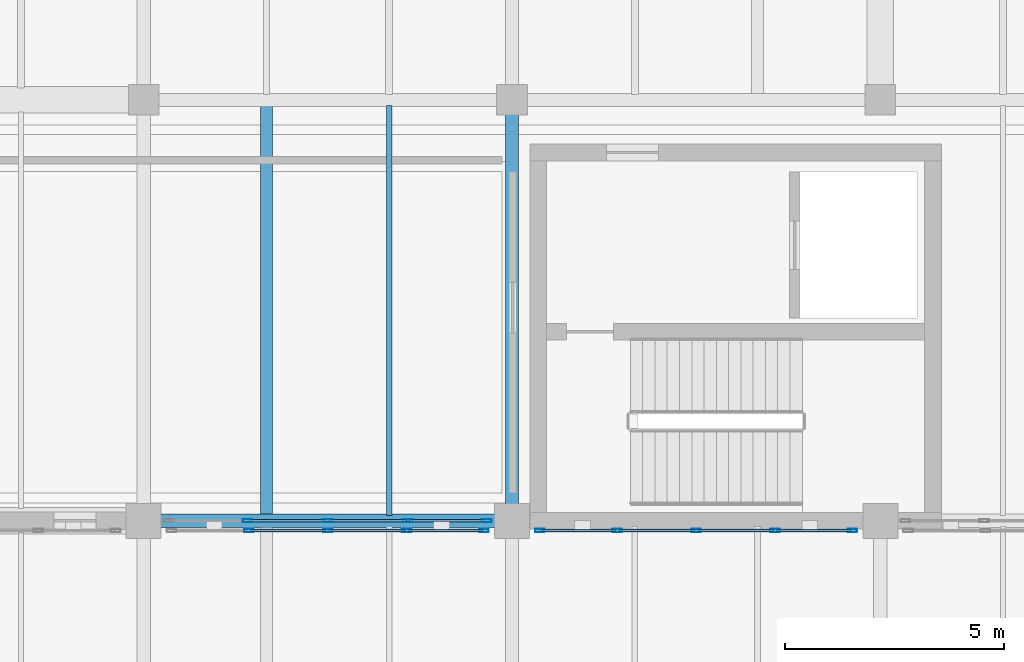
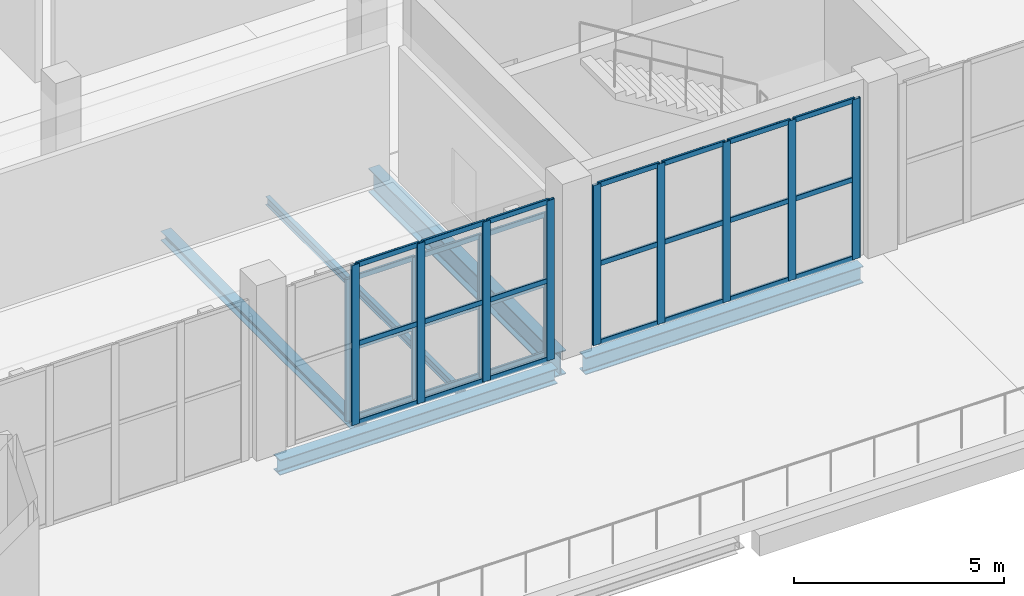
# One storey, part 12 of 77: 43 members, 5 beams, 3 elements without a shape of their own.
"""IFC4 building model written with IfcOpenShell, lengths in metres."""

from ifc_helpers import new_model, si_unit, direction, frame, origin, origin_2d, place, context, subcontext, project, spatial, hollow_rectangle, i_section, extrude, material, layer, layer_set, material_profile, profile_set, type_object, element, aggregate, save


model = new_model("IFC4")

# Units and contexts
model_context = context("Model", 3, precision=1e-05, world=origin(), true_north=direction((0.0, 1.0)))
body_context = subcontext(model_context, "Body", "Model", "MODEL_VIEW")
ifc_project = project(units=[si_unit("LENGTHUNIT", "METRE"), si_unit("AREAUNIT", "SQUARE_METRE"), si_unit("VOLUMEUNIT", "CUBIC_METRE"), si_unit("PLANEANGLEUNIT", "RADIAN"), si_unit("MASSUNIT", "GRAM", prefix="KILO")], contexts=[model_context])

# Site, building, storey
site_placement = place(None, origin())
site = spatial("IfcSite", under=ifc_project, at=site_placement, CompositionType="ELEMENT")
building_placement = place(site_placement, origin())
building = spatial("IfcBuilding", under=site, at=building_placement, Name="Zulmaris Art Gallery", CompositionType="ELEMENT")
storey_placement = place(building_placement, frame((0.0, 0.0, 15.60009765625)))
storey = spatial("IfcBuildingStorey", under=building, at=storey_placement, Name="L03", CompositionType="ELEMENT", Elevation=15.60009765625)

# Beams
ifc_material_1 = material(Name="Steel S355J2", Category="steel")
ifc_material_profile_1 = material_profile(ifc_material_1, i_section(OverallWidth=0.300048828125, OverallDepth=0.43994140625, WebThickness=0.011474609375, FlangeThickness=0.02099609375, FilletRadius=0.027099609375, at=origin_2d()), Name="HEA 450")
ifc_profile_set_1 = profile_set([ifc_material_profile_1], Name="Steel S355J2")
beam_type_1 = type_object("IfcBeamType", Name="BEAM-BM10", PredefinedType="BEAM", material=ifc_profile_set_1)
beam_1_placement = place(storey_placement, frame((57.985107421875, 21.60009765625, -0.6201171875), z_axis=(1.0, 0.0, 0.0), x_axis=(0.0, 1.0, 0.0)))
element("IfcBeam", 1, at=beam_1_placement, inside=storey, type_object=beam_type_1, Name="L03 X-girder (57.6..66.0, y=21.6)", PredefinedType="BEAM", context=body_context, shape_type="SweptSolid", body=[
    extrude(i_section(OverallWidth=0.300048828125, OverallDepth=0.43994140625, WebThickness=0.011474609375, FlangeThickness=0.02099609375, FilletRadius=0.027099609375, at=origin_2d()), origin(), (0.0, 0.0, 1.0), 7.6298828125),
])
ifc_material_profile_2 = material_profile(ifc_material_1, i_section(OverallWidth=0.300048828125, OverallDepth=0.489990234375, WebThickness=0.011962890625, FlangeThickness=0.02294921875, FilletRadius=0.027099609375, at=origin_2d()), Name="HEA 500")
ifc_profile_set_2 = profile_set([ifc_material_profile_2], Name="Steel S355J2")
beam_type_2 = type_object("IfcBeamType", Name="BEAM-BM11", PredefinedType="BEAM", material=ifc_profile_set_2)
beam_2_placement = place(storey_placement, frame((66.385009765625, 21.60009765625, -0.614990234375), z_axis=(1.0, 0.0, 0.0), x_axis=(0.0, 1.0, 0.0)))
element("IfcBeam", 2, at=beam_2_placement, inside=storey, type_object=beam_type_2, Name="L03 X-girder (66.0..74.4, y=21.6)", PredefinedType="BEAM", context=body_context, shape_type="SweptSolid", body=[
    extrude(i_section(OverallWidth=0.300048828125, OverallDepth=0.489990234375, WebThickness=0.011962890625, FlangeThickness=0.02294921875, FilletRadius=0.027099609375, at=origin_2d()), origin(), (0.0, 0.0, 1.0), 7.6298828125),
])
ifc_material_profile_3 = material_profile(ifc_material_1, i_section(OverallWidth=0.300048828125, OverallDepth=0.699951171875, WebThickness=0.01708984375, FlangeThickness=0.031982421875, FilletRadius=0.027099609375, at=origin_2d()), Name="HEB 700")
ifc_profile_set_3 = profile_set([ifc_material_profile_3], Name="Steel S355J2")
beam_type_3 = type_object("IfcBeamType", Name="BEAM-BM16", PredefinedType="BEAM", material=ifc_profile_set_3)
beam_3_placement = place(storey_placement, frame((66.0, 21.985107421875, -0.72021484375), z_axis=(0.0, 1.0, 0.0), x_axis=(-1.0, 0.0, 0.0)))
element("IfcBeam", 3, at=beam_3_placement, inside=storey, type_object=beam_type_3, Name="L03 Y-girder (x=66.0, 21.6..31.2)", PredefinedType="BEAM", context=body_context, shape_type="SweptSolid", body=[
    extrude(i_section(OverallWidth=0.300048828125, OverallDepth=0.699951171875, WebThickness=0.01708984375, FlangeThickness=0.031982421875, FilletRadius=0.027099609375, at=origin_2d()), origin(), (0.0, 0.0, 1.0), 8.8798828125),
])
ifc_material_profile_4 = material_profile(ifc_material_1, i_section(OverallWidth=0.1201171875, OverallDepth=0.239990234375, WebThickness=0.006103515625, FlangeThickness=0.009765625, FilletRadius=0.014892578125, at=origin_2d()), Name="IPE 240")
ifc_profile_set_4 = profile_set([ifc_material_profile_4], Name="Steel S355J2")
beam_type_4 = type_object("IfcBeamType", Name="BEAM-JS01", PredefinedType="JOIST", material=ifc_profile_set_4)
beam_4_placement = place(storey_placement, frame((63.199951171875, 21.72509765625, -0.489990234375), z_axis=(0.0, 1.0, 0.0), x_axis=(-1.0, 0.0, 0.0)))
element("IfcBeam", 4, at=beam_4_placement, inside=storey, type_object=beam_type_4, Name="L03 secondary joist at x=63.2", PredefinedType="JOIST", context=body_context, shape_type="SweptSolid", body=[
    extrude(i_section(OverallWidth=0.1201171875, OverallDepth=0.239990234375, WebThickness=0.006103515625, FlangeThickness=0.009765625, FilletRadius=0.014892578125, at=origin_2d()), origin(), (0.0, 0.0, 1.0), 9.349853515625),
])
ifc_material_profile_5 = material_profile(ifc_material_1, i_section(OverallWidth=0.280029296875, OverallDepth=0.27001953125, WebThickness=0.008056640625, FlangeThickness=0.012939453125, FilletRadius=0.02392578125, at=origin_2d()), Name="HEA 280")
ifc_profile_set_5 = profile_set([ifc_material_profile_5], Name="Steel S355J2")
beam_type_5 = type_object("IfcBeamType", Name="BEAM-JS04", PredefinedType="JOIST", material=ifc_profile_set_5)
beam_5_placement = place(storey_placement, frame((60.39990234375, 21.72509765625, -0.505126953125), z_axis=(0.0, 1.0, 0.0), x_axis=(-1.0, 0.0, 0.0)))
element("IfcBeam", 5, at=beam_5_placement, inside=storey, type_object=beam_type_5, Name="L03 secondary joist at x=60.4", PredefinedType="JOIST", context=body_context, shape_type="SweptSolid", body=[
    extrude(i_section(OverallWidth=0.280029296875, OverallDepth=0.27001953125, WebThickness=0.008056640625, FlangeThickness=0.012939453125, FilletRadius=0.02392578125, at=origin_2d()), origin(), (0.0, 0.0, 1.0), 9.349853515625),
])

# Curtain wall, members
ifc_material_2 = material(Name="Unitised Low-E Gallery Curtain Wall", Category="aluminium")
ifc_layer_1 = layer(ifc_material_2, 0.179931640625)
ifc_layer_set_1 = layer_set([ifc_layer_1], Name="Unitised Low-E Gallery Curtain Wall")
curtain_wall_type_1 = type_object("IfcCurtainWallType", Name="CW-CW01", PredefinedType="NOTDEFINED", material=ifc_layer_set_1)
curtain_wall_1_placement = place(storey_placement, origin())
curtain_wall_1 = element("IfcCurtainWall", 6, at=curtain_wall_1_placement, inside=storey, type_object=curtain_wall_type_1, Name="L03 curtain wall 11", PredefinedType="NOTDEFINED")
ifc_material_3 = material(Name="Anodised Bronze Aluminium", Category="aluminium")
ifc_material_profile_6 = material_profile(ifc_material_3, hollow_rectangle(XDim=0.074951171875, YDim=0.219970703125, WallThickness=0.0048828125, InnerFilletRadius=0.007568359375, OuterFilletRadius=0.012451171875, at=origin_2d()), Name="ALU 75x220x5")
ifc_profile_set_6 = profile_set([ifc_material_profile_6], Name="Anodised Bronze Aluminium")
member_type_1 = type_object("IfcMemberType", Name="CWMUL-02", PredefinedType="MULLION", material=ifc_profile_set_6)
member_1_placement = place(storey_placement, frame((59.969970703125, 21.60009765625, 0.0), z_axis=(0.0, 0.0, 1.0), x_axis=(0.0, 1.0, 0.0)))
member_1 = element("IfcMember", 7, at=member_1_placement, type_object=member_type_1, Name="CW01 mullion 2", PredefinedType="MULLION", context=body_context, shape_type="SweptSolid", body=[
    extrude(hollow_rectangle(XDim=0.074951171875, YDim=0.219970703125, WallThickness=0.0048828125, InnerFilletRadius=0.007568359375, OuterFilletRadius=0.012451171875, at=origin_2d()), origin(), (0.0, 0.0, 1.0), 4.119873046875),
])
member_2_placement = place(storey_placement, frame((61.800048828125, 21.60009765625, 0.0), z_axis=(0.0, 0.0, 1.0), x_axis=(0.0, 1.0, 0.0)))
member_2 = element("IfcMember", 8, at=member_2_placement, type_object=member_type_1, Name="CW01 mullion 3", PredefinedType="MULLION", context=body_context, shape_type="SweptSolid", body=[
    extrude(hollow_rectangle(XDim=0.074951171875, YDim=0.219970703125, WallThickness=0.0048828125, InnerFilletRadius=0.007568359375, OuterFilletRadius=0.012451171875, at=origin_2d()), origin(), (0.0, 0.0, 1.0), 4.119873046875),
])
member_3_placement = place(storey_placement, frame((63.6298828125, 21.60009765625, 0.0), z_axis=(0.0, 0.0, 1.0), x_axis=(0.0, 1.0, 0.0)))
member_3 = element("IfcMember", 9, at=member_3_placement, type_object=member_type_1, Name="CW01 mullion 4", PredefinedType="MULLION", context=body_context, shape_type="SweptSolid", body=[
    extrude(hollow_rectangle(XDim=0.074951171875, YDim=0.219970703125, WallThickness=0.0048828125, InnerFilletRadius=0.007568359375, OuterFilletRadius=0.012451171875, at=origin_2d()), origin(), (0.0, 0.0, 1.0), 4.119873046875),
])
member_4_placement = place(storey_placement, frame((65.422607421875, 21.60009765625, 0.0), z_axis=(0.0, 0.0, 1.0), x_axis=(0.0, 1.0, 0.0)))
member_4 = element("IfcMember", 10, at=member_4_placement, type_object=member_type_1, Name="CW01 mullion 5", PredefinedType="MULLION", context=body_context, shape_type="SweptSolid", body=[
    extrude(hollow_rectangle(XDim=0.074951171875, YDim=0.219970703125, WallThickness=0.0048828125, InnerFilletRadius=0.007568359375, OuterFilletRadius=0.012451171875, at=origin_2d()), origin(), (0.0, 0.0, 1.0), 4.119873046875),
])

ifc_material_4 = material(Name="Perforated Bronze Art Deco Mashrabiya Screen", Category="aluminium")
ifc_layer_2 = layer(ifc_material_4, 0.179931640625)
ifc_layer_set_2 = layer_set([ifc_layer_2], Name="Perforated Bronze Art Deco Mashrabiya Screen")
curtain_wall_type_2 = type_object("IfcCurtainWallType", Name="CW-CW06", PredefinedType="USERDEFINED", material=ifc_layer_set_2)
curtain_wall_2_placement = place(storey_placement, origin())
curtain_wall_2 = element("IfcCurtainWall", 11, at=curtain_wall_2_placement, inside=storey, type_object=curtain_wall_type_2, Name="L03 Mashrabiya screen 175", ObjectType="MASHRABIYA SCREEN", PredefinedType="USERDEFINED")
member_5_placement = place(storey_placement, frame((60.0, 21.3798828125, 0.0), z_axis=(0.0, 0.0, 1.0), x_axis=(0.0, 1.0, 0.0)))
member_5 = element("IfcMember", 12, at=member_5_placement, type_object=member_type_1, Name="CW06 mullion 2", PredefinedType="MULLION", context=body_context, shape_type="SweptSolid", body=[
    extrude(hollow_rectangle(XDim=0.074951171875, YDim=0.219970703125, WallThickness=0.0048828125, InnerFilletRadius=0.007568359375, OuterFilletRadius=0.012451171875, at=origin_2d()), origin(), (0.0, 0.0, 1.0), 4.64990234375),
])
member_6_placement = place(storey_placement, frame((61.800048828125, 21.3798828125, 0.0), z_axis=(0.0, 0.0, 1.0), x_axis=(0.0, 1.0, 0.0)))
member_6 = element("IfcMember", 13, at=member_6_placement, type_object=member_type_1, Name="CW06 mullion 3", PredefinedType="MULLION", context=body_context, shape_type="SweptSolid", body=[
    extrude(hollow_rectangle(XDim=0.074951171875, YDim=0.219970703125, WallThickness=0.0048828125, InnerFilletRadius=0.007568359375, OuterFilletRadius=0.012451171875, at=origin_2d()), origin(), (0.0, 0.0, 1.0), 4.64990234375),
])
member_7_placement = place(storey_placement, frame((63.60009765625, 21.3798828125, 0.0), z_axis=(0.0, 0.0, 1.0), x_axis=(0.0, 1.0, 0.0)))
member_7 = element("IfcMember", 14, at=member_7_placement, type_object=member_type_1, Name="CW06 mullion 4", PredefinedType="MULLION", context=body_context, shape_type="SweptSolid", body=[
    extrude(hollow_rectangle(XDim=0.074951171875, YDim=0.219970703125, WallThickness=0.0048828125, InnerFilletRadius=0.007568359375, OuterFilletRadius=0.012451171875, at=origin_2d()), origin(), (0.0, 0.0, 1.0), 4.64990234375),
])
member_8_placement = place(storey_placement, frame((65.362548828125, 21.3798828125, 0.0), z_axis=(0.0, 0.0, 1.0), x_axis=(0.0, 1.0, 0.0)))
member_8 = element("IfcMember", 15, at=member_8_placement, type_object=member_type_1, Name="CW06 mullion 5", PredefinedType="MULLION", context=body_context, shape_type="SweptSolid", body=[
    extrude(hollow_rectangle(XDim=0.074951171875, YDim=0.219970703125, WallThickness=0.0048828125, InnerFilletRadius=0.007568359375, OuterFilletRadius=0.012451171875, at=origin_2d()), origin(), (0.0, 0.0, 1.0), 4.64990234375),
])

curtain_wall_3_placement = place(storey_placement, origin())
curtain_wall_3 = element("IfcCurtainWall", 16, at=curtain_wall_3_placement, inside=storey, type_object=curtain_wall_type_2, Name="L03 Mashrabiya screen 176", ObjectType="MASHRABIYA SCREEN", PredefinedType="USERDEFINED")
member_9_placement = place(storey_placement, frame((66.637451171875, 21.3798828125, 0.0), z_axis=(0.0, 0.0, 1.0), x_axis=(0.0, 1.0, 0.0)))
member_9 = element("IfcMember", 17, at=member_9_placement, type_object=member_type_1, Name="CW06 mullion 1", PredefinedType="MULLION", context=body_context, shape_type="SweptSolid", body=[
    extrude(hollow_rectangle(XDim=0.074951171875, YDim=0.219970703125, WallThickness=0.0048828125, InnerFilletRadius=0.007568359375, OuterFilletRadius=0.012451171875, at=origin_2d()), origin(), (0.0, 0.0, 1.0), 4.64990234375),
])
member_10_placement = place(storey_placement, frame((68.39990234375, 21.3798828125, 0.0), z_axis=(0.0, 0.0, 1.0), x_axis=(0.0, 1.0, 0.0)))
member_10 = element("IfcMember", 18, at=member_10_placement, type_object=member_type_1, Name="CW06 mullion 2", PredefinedType="MULLION", context=body_context, shape_type="SweptSolid", body=[
    extrude(hollow_rectangle(XDim=0.074951171875, YDim=0.219970703125, WallThickness=0.0048828125, InnerFilletRadius=0.007568359375, OuterFilletRadius=0.012451171875, at=origin_2d()), origin(), (0.0, 0.0, 1.0), 4.64990234375),
])
member_11_placement = place(storey_placement, frame((70.199951171875, 21.3798828125, 0.0), z_axis=(0.0, 0.0, 1.0), x_axis=(0.0, 1.0, 0.0)))
member_11 = element("IfcMember", 19, at=member_11_placement, type_object=member_type_1, Name="CW06 mullion 3", PredefinedType="MULLION", context=body_context, shape_type="SweptSolid", body=[
    extrude(hollow_rectangle(XDim=0.074951171875, YDim=0.219970703125, WallThickness=0.0048828125, InnerFilletRadius=0.007568359375, OuterFilletRadius=0.012451171875, at=origin_2d()), origin(), (0.0, 0.0, 1.0), 4.64990234375),
])
member_12_placement = place(storey_placement, frame((72.0, 21.3798828125, 0.0), z_axis=(0.0, 0.0, 1.0), x_axis=(0.0, 1.0, 0.0)))
member_12 = element("IfcMember", 20, at=member_12_placement, type_object=member_type_1, Name="CW06 mullion 4", PredefinedType="MULLION", context=body_context, shape_type="SweptSolid", body=[
    extrude(hollow_rectangle(XDim=0.074951171875, YDim=0.219970703125, WallThickness=0.0048828125, InnerFilletRadius=0.007568359375, OuterFilletRadius=0.012451171875, at=origin_2d()), origin(), (0.0, 0.0, 1.0), 4.64990234375),
])
member_13_placement = place(storey_placement, frame((73.762451171875, 21.3798828125, 0.0), z_axis=(0.0, 0.0, 1.0), x_axis=(0.0, 1.0, 0.0)))
member_13 = element("IfcMember", 21, at=member_13_placement, type_object=member_type_1, Name="CW06 mullion 5", PredefinedType="MULLION", context=body_context, shape_type="SweptSolid", body=[
    extrude(hollow_rectangle(XDim=0.074951171875, YDim=0.219970703125, WallThickness=0.0048828125, InnerFilletRadius=0.007568359375, OuterFilletRadius=0.012451171875, at=origin_2d()), origin(), (0.0, 0.0, 1.0), 4.64990234375),
])

# Member
ifc_material_profile_7 = material_profile(ifc_material_3, hollow_rectangle(XDim=0.06494140625, YDim=0.14990234375, WallThickness=0.00390625, InnerFilletRadius=0.006103515625, OuterFilletRadius=0.010009765625, at=origin_2d()), Name="ALU 65x150x4")
ifc_profile_set_7 = profile_set([ifc_material_profile_7], Name="Anodised Bronze Aluminium")
member_type_2 = type_object("IfcMemberType", Name="CWTRN-01", PredefinedType="USERDEFINED", material=ifc_profile_set_7)
member_14_placement = place(storey_placement, frame((60.007568359375, 21.60009765625, 0.037353515625), z_axis=(1.0, 0.0, 0.0), x_axis=(0.0, 1.0, 0.0)))
member_14 = element("IfcMember", 22, at=member_14_placement, type_object=member_type_2, Name="CW01 transom 2.1", ObjectType="TRANSOM", PredefinedType="USERDEFINED", context=body_context, shape_type="SweptSolid", body=[
    extrude(hollow_rectangle(XDim=0.06494140625, YDim=0.14990234375, WallThickness=0.00390625, InnerFilletRadius=0.006103515625, OuterFilletRadius=0.010009765625, at=origin_2d()), origin(), (0.0, 0.0, 1.0), 1.7548828125),
])

member_15_placement = place(storey_placement, frame((60.007568359375, 21.60009765625, 2.059814453125), z_axis=(1.0, 0.0, 0.0), x_axis=(0.0, 1.0, 0.0)))
member_15 = element("IfcMember", 23, at=member_15_placement, type_object=member_type_2, Name="CW01 transom 2.2", ObjectType="TRANSOM", PredefinedType="USERDEFINED", context=body_context, shape_type="SweptSolid", body=[
    extrude(hollow_rectangle(XDim=0.06494140625, YDim=0.14990234375, WallThickness=0.00390625, InnerFilletRadius=0.006103515625, OuterFilletRadius=0.010009765625, at=origin_2d()), origin(), (0.0, 0.0, 1.0), 1.7548828125),
])

member_16_placement = place(storey_placement, frame((60.007568359375, 21.60009765625, 4.08251953125), z_axis=(1.0, 0.0, 0.0), x_axis=(0.0, 1.0, 0.0)))
member_16 = element("IfcMember", 24, at=member_16_placement, type_object=member_type_2, Name="CW01 transom 2.3", ObjectType="TRANSOM", PredefinedType="USERDEFINED", context=body_context, shape_type="SweptSolid", body=[
    extrude(hollow_rectangle(XDim=0.06494140625, YDim=0.14990234375, WallThickness=0.00390625, InnerFilletRadius=0.006103515625, OuterFilletRadius=0.010009765625, at=origin_2d()), origin(), (0.0, 0.0, 1.0), 1.7548828125),
])

member_17_placement = place(storey_placement, frame((61.83740234375, 21.60009765625, 0.037353515625), z_axis=(1.0, 0.0, 0.0), x_axis=(0.0, 1.0, 0.0)))
member_17 = element("IfcMember", 25, at=member_17_placement, type_object=member_type_2, Name="CW01 transom 3.1", ObjectType="TRANSOM", PredefinedType="USERDEFINED", context=body_context, shape_type="SweptSolid", body=[
    extrude(hollow_rectangle(XDim=0.06494140625, YDim=0.14990234375, WallThickness=0.00390625, InnerFilletRadius=0.006103515625, OuterFilletRadius=0.010009765625, at=origin_2d()), origin(), (0.0, 0.0, 1.0), 1.755126953125),
])

member_18_placement = place(storey_placement, frame((61.83740234375, 21.60009765625, 2.059814453125), z_axis=(1.0, 0.0, 0.0), x_axis=(0.0, 1.0, 0.0)))
member_18 = element("IfcMember", 26, at=member_18_placement, type_object=member_type_2, Name="CW01 transom 3.2", ObjectType="TRANSOM", PredefinedType="USERDEFINED", context=body_context, shape_type="SweptSolid", body=[
    extrude(hollow_rectangle(XDim=0.06494140625, YDim=0.14990234375, WallThickness=0.00390625, InnerFilletRadius=0.006103515625, OuterFilletRadius=0.010009765625, at=origin_2d()), origin(), (0.0, 0.0, 1.0), 1.755126953125),
])

member_19_placement = place(storey_placement, frame((61.83740234375, 21.60009765625, 4.08251953125), z_axis=(1.0, 0.0, 0.0), x_axis=(0.0, 1.0, 0.0)))
member_19 = element("IfcMember", 27, at=member_19_placement, type_object=member_type_2, Name="CW01 transom 3.3", ObjectType="TRANSOM", PredefinedType="USERDEFINED", context=body_context, shape_type="SweptSolid", body=[
    extrude(hollow_rectangle(XDim=0.06494140625, YDim=0.14990234375, WallThickness=0.00390625, InnerFilletRadius=0.006103515625, OuterFilletRadius=0.010009765625, at=origin_2d()), origin(), (0.0, 0.0, 1.0), 1.755126953125),
])

member_20_placement = place(storey_placement, frame((63.66748046875, 21.60009765625, 0.037353515625), z_axis=(1.0, 0.0, 0.0), x_axis=(0.0, 1.0, 0.0)))
member_20 = element("IfcMember", 28, at=member_20_placement, type_object=member_type_2, Name="CW01 transom 4.1", ObjectType="TRANSOM", PredefinedType="USERDEFINED", context=body_context, shape_type="SweptSolid", body=[
    extrude(hollow_rectangle(XDim=0.06494140625, YDim=0.14990234375, WallThickness=0.00390625, InnerFilletRadius=0.006103515625, OuterFilletRadius=0.010009765625, at=origin_2d()), origin(), (0.0, 0.0, 1.0), 1.717529296875),
])

member_21_placement = place(storey_placement, frame((63.66748046875, 21.60009765625, 2.059814453125), z_axis=(1.0, 0.0, 0.0), x_axis=(0.0, 1.0, 0.0)))
member_21 = element("IfcMember", 29, at=member_21_placement, type_object=member_type_2, Name="CW01 transom 4.2", ObjectType="TRANSOM", PredefinedType="USERDEFINED", context=body_context, shape_type="SweptSolid", body=[
    extrude(hollow_rectangle(XDim=0.06494140625, YDim=0.14990234375, WallThickness=0.00390625, InnerFilletRadius=0.006103515625, OuterFilletRadius=0.010009765625, at=origin_2d()), origin(), (0.0, 0.0, 1.0), 1.717529296875),
])

member_22_placement = place(storey_placement, frame((63.66748046875, 21.60009765625, 4.08251953125), z_axis=(1.0, 0.0, 0.0), x_axis=(0.0, 1.0, 0.0)))
member_22 = element("IfcMember", 30, at=member_22_placement, type_object=member_type_2, Name="CW01 transom 4.3", ObjectType="TRANSOM", PredefinedType="USERDEFINED", context=body_context, shape_type="SweptSolid", body=[
    extrude(hollow_rectangle(XDim=0.06494140625, YDim=0.14990234375, WallThickness=0.00390625, InnerFilletRadius=0.006103515625, OuterFilletRadius=0.010009765625, at=origin_2d()), origin(), (0.0, 0.0, 1.0), 1.717529296875),
])

aggregate(curtain_wall_1, [member_1, member_2, member_3, member_4, member_14, member_15, member_16, member_17, member_18, member_19, member_20, member_21, member_22])

member_23_placement = place(storey_placement, frame((60.03759765625, 21.3798828125, 0.037353515625), z_axis=(1.0, 0.0, 0.0), x_axis=(0.0, 1.0, 0.0)))
member_23 = element("IfcMember", 31, at=member_23_placement, type_object=member_type_2, Name="CW06 transom 2.1", ObjectType="TRANSOM", PredefinedType="USERDEFINED", context=body_context, shape_type="SweptSolid", body=[
    extrude(hollow_rectangle(XDim=0.06494140625, YDim=0.14990234375, WallThickness=0.00390625, InnerFilletRadius=0.006103515625, OuterFilletRadius=0.010009765625, at=origin_2d()), origin(), (0.0, 0.0, 1.0), 1.724853515625),
])

member_24_placement = place(storey_placement, frame((60.03759765625, 21.3798828125, 2.324951171875), z_axis=(1.0, 0.0, 0.0), x_axis=(0.0, 1.0, 0.0)))
member_24 = element("IfcMember", 32, at=member_24_placement, type_object=member_type_2, Name="CW06 transom 2.2", ObjectType="TRANSOM", PredefinedType="USERDEFINED", context=body_context, shape_type="SweptSolid", body=[
    extrude(hollow_rectangle(XDim=0.06494140625, YDim=0.14990234375, WallThickness=0.00390625, InnerFilletRadius=0.006103515625, OuterFilletRadius=0.010009765625, at=origin_2d()), origin(), (0.0, 0.0, 1.0), 1.724853515625),
])

member_25_placement = place(storey_placement, frame((60.03759765625, 21.3798828125, 4.6123046875), z_axis=(1.0, 0.0, 0.0), x_axis=(0.0, 1.0, 0.0)))
member_25 = element("IfcMember", 33, at=member_25_placement, type_object=member_type_2, Name="CW06 transom 2.3", ObjectType="TRANSOM", PredefinedType="USERDEFINED", context=body_context, shape_type="SweptSolid", body=[
    extrude(hollow_rectangle(XDim=0.06494140625, YDim=0.14990234375, WallThickness=0.00390625, InnerFilletRadius=0.006103515625, OuterFilletRadius=0.010009765625, at=origin_2d()), origin(), (0.0, 0.0, 1.0), 1.724853515625),
])

member_26_placement = place(storey_placement, frame((61.83740234375, 21.3798828125, 0.037353515625), z_axis=(1.0, 0.0, 0.0), x_axis=(0.0, 1.0, 0.0)))
member_26 = element("IfcMember", 34, at=member_26_placement, type_object=member_type_2, Name="CW06 transom 3.1", ObjectType="TRANSOM", PredefinedType="USERDEFINED", context=body_context, shape_type="SweptSolid", body=[
    extrude(hollow_rectangle(XDim=0.06494140625, YDim=0.14990234375, WallThickness=0.00390625, InnerFilletRadius=0.006103515625, OuterFilletRadius=0.010009765625, at=origin_2d()), origin(), (0.0, 0.0, 1.0), 1.72509765625),
])

member_27_placement = place(storey_placement, frame((61.83740234375, 21.3798828125, 2.324951171875), z_axis=(1.0, 0.0, 0.0), x_axis=(0.0, 1.0, 0.0)))
member_27 = element("IfcMember", 35, at=member_27_placement, type_object=member_type_2, Name="CW06 transom 3.2", ObjectType="TRANSOM", PredefinedType="USERDEFINED", context=body_context, shape_type="SweptSolid", body=[
    extrude(hollow_rectangle(XDim=0.06494140625, YDim=0.14990234375, WallThickness=0.00390625, InnerFilletRadius=0.006103515625, OuterFilletRadius=0.010009765625, at=origin_2d()), origin(), (0.0, 0.0, 1.0), 1.72509765625),
])

member_28_placement = place(storey_placement, frame((61.83740234375, 21.3798828125, 4.6123046875), z_axis=(1.0, 0.0, 0.0), x_axis=(0.0, 1.0, 0.0)))
member_28 = element("IfcMember", 36, at=member_28_placement, type_object=member_type_2, Name="CW06 transom 3.3", ObjectType="TRANSOM", PredefinedType="USERDEFINED", context=body_context, shape_type="SweptSolid", body=[
    extrude(hollow_rectangle(XDim=0.06494140625, YDim=0.14990234375, WallThickness=0.00390625, InnerFilletRadius=0.006103515625, OuterFilletRadius=0.010009765625, at=origin_2d()), origin(), (0.0, 0.0, 1.0), 1.72509765625),
])

member_29_placement = place(storey_placement, frame((63.637451171875, 21.3798828125, 0.037353515625), z_axis=(1.0, 0.0, 0.0), x_axis=(0.0, 1.0, 0.0)))
member_29 = element("IfcMember", 37, at=member_29_placement, type_object=member_type_2, Name="CW06 transom 4.1", ObjectType="TRANSOM", PredefinedType="USERDEFINED", context=body_context, shape_type="SweptSolid", body=[
    extrude(hollow_rectangle(XDim=0.06494140625, YDim=0.14990234375, WallThickness=0.00390625, InnerFilletRadius=0.006103515625, OuterFilletRadius=0.010009765625, at=origin_2d()), origin(), (0.0, 0.0, 1.0), 1.6875),
])

member_30_placement = place(storey_placement, frame((63.637451171875, 21.3798828125, 2.324951171875), z_axis=(1.0, 0.0, 0.0), x_axis=(0.0, 1.0, 0.0)))
member_30 = element("IfcMember", 38, at=member_30_placement, type_object=member_type_2, Name="CW06 transom 4.2", ObjectType="TRANSOM", PredefinedType="USERDEFINED", context=body_context, shape_type="SweptSolid", body=[
    extrude(hollow_rectangle(XDim=0.06494140625, YDim=0.14990234375, WallThickness=0.00390625, InnerFilletRadius=0.006103515625, OuterFilletRadius=0.010009765625, at=origin_2d()), origin(), (0.0, 0.0, 1.0), 1.6875),
])

member_31_placement = place(storey_placement, frame((63.637451171875, 21.3798828125, 4.6123046875), z_axis=(1.0, 0.0, 0.0), x_axis=(0.0, 1.0, 0.0)))
member_31 = element("IfcMember", 39, at=member_31_placement, type_object=member_type_2, Name="CW06 transom 4.3", ObjectType="TRANSOM", PredefinedType="USERDEFINED", context=body_context, shape_type="SweptSolid", body=[
    extrude(hollow_rectangle(XDim=0.06494140625, YDim=0.14990234375, WallThickness=0.00390625, InnerFilletRadius=0.006103515625, OuterFilletRadius=0.010009765625, at=origin_2d()), origin(), (0.0, 0.0, 1.0), 1.6875),
])

aggregate(curtain_wall_2, [member_5, member_6, member_7, member_8, member_23, member_24, member_25, member_26, member_27, member_28, member_29, member_30, member_31])

member_32_placement = place(storey_placement, frame((66.675048828125, 21.3798828125, 0.037353515625), z_axis=(1.0, 0.0, 0.0), x_axis=(0.0, 1.0, 0.0)))
member_32 = element("IfcMember", 40, at=member_32_placement, type_object=member_type_2, Name="CW06 transom 1.1", ObjectType="TRANSOM", PredefinedType="USERDEFINED", context=body_context, shape_type="SweptSolid", body=[
    extrude(hollow_rectangle(XDim=0.06494140625, YDim=0.14990234375, WallThickness=0.00390625, InnerFilletRadius=0.006103515625, OuterFilletRadius=0.010009765625, at=origin_2d()), origin(), (0.0, 0.0, 1.0), 1.6875),
])

member_33_placement = place(storey_placement, frame((66.675048828125, 21.3798828125, 2.324951171875), z_axis=(1.0, 0.0, 0.0), x_axis=(0.0, 1.0, 0.0)))
member_33 = element("IfcMember", 41, at=member_33_placement, type_object=member_type_2, Name="CW06 transom 1.2", ObjectType="TRANSOM", PredefinedType="USERDEFINED", context=body_context, shape_type="SweptSolid", body=[
    extrude(hollow_rectangle(XDim=0.06494140625, YDim=0.14990234375, WallThickness=0.00390625, InnerFilletRadius=0.006103515625, OuterFilletRadius=0.010009765625, at=origin_2d()), origin(), (0.0, 0.0, 1.0), 1.6875),
])

member_34_placement = place(storey_placement, frame((66.675048828125, 21.3798828125, 4.6123046875), z_axis=(1.0, 0.0, 0.0), x_axis=(0.0, 1.0, 0.0)))
member_34 = element("IfcMember", 42, at=member_34_placement, type_object=member_type_2, Name="CW06 transom 1.3", ObjectType="TRANSOM", PredefinedType="USERDEFINED", context=body_context, shape_type="SweptSolid", body=[
    extrude(hollow_rectangle(XDim=0.06494140625, YDim=0.14990234375, WallThickness=0.00390625, InnerFilletRadius=0.006103515625, OuterFilletRadius=0.010009765625, at=origin_2d()), origin(), (0.0, 0.0, 1.0), 1.6875),
])

member_35_placement = place(storey_placement, frame((68.4375, 21.3798828125, 0.037353515625), z_axis=(1.0, 0.0, 0.0), x_axis=(0.0, 1.0, 0.0)))
member_35 = element("IfcMember", 43, at=member_35_placement, type_object=member_type_2, Name="CW06 transom 2.1", ObjectType="TRANSOM", PredefinedType="USERDEFINED", context=body_context, shape_type="SweptSolid", body=[
    extrude(hollow_rectangle(XDim=0.06494140625, YDim=0.14990234375, WallThickness=0.00390625, InnerFilletRadius=0.006103515625, OuterFilletRadius=0.010009765625, at=origin_2d()), origin(), (0.0, 0.0, 1.0), 1.72509765625),
])

member_36_placement = place(storey_placement, frame((68.4375, 21.3798828125, 2.324951171875), z_axis=(1.0, 0.0, 0.0), x_axis=(0.0, 1.0, 0.0)))
member_36 = element("IfcMember", 44, at=member_36_placement, type_object=member_type_2, Name="CW06 transom 2.2", ObjectType="TRANSOM", PredefinedType="USERDEFINED", context=body_context, shape_type="SweptSolid", body=[
    extrude(hollow_rectangle(XDim=0.06494140625, YDim=0.14990234375, WallThickness=0.00390625, InnerFilletRadius=0.006103515625, OuterFilletRadius=0.010009765625, at=origin_2d()), origin(), (0.0, 0.0, 1.0), 1.72509765625),
])

member_37_placement = place(storey_placement, frame((68.4375, 21.3798828125, 4.6123046875), z_axis=(1.0, 0.0, 0.0), x_axis=(0.0, 1.0, 0.0)))
member_37 = element("IfcMember", 45, at=member_37_placement, type_object=member_type_2, Name="CW06 transom 2.3", ObjectType="TRANSOM", PredefinedType="USERDEFINED", context=body_context, shape_type="SweptSolid", body=[
    extrude(hollow_rectangle(XDim=0.06494140625, YDim=0.14990234375, WallThickness=0.00390625, InnerFilletRadius=0.006103515625, OuterFilletRadius=0.010009765625, at=origin_2d()), origin(), (0.0, 0.0, 1.0), 1.72509765625),
])

member_38_placement = place(storey_placement, frame((70.237548828125, 21.3798828125, 0.037353515625), z_axis=(1.0, 0.0, 0.0), x_axis=(0.0, 1.0, 0.0)))
member_38 = element("IfcMember", 46, at=member_38_placement, type_object=member_type_2, Name="CW06 transom 3.1", ObjectType="TRANSOM", PredefinedType="USERDEFINED", context=body_context, shape_type="SweptSolid", body=[
    extrude(hollow_rectangle(XDim=0.06494140625, YDim=0.14990234375, WallThickness=0.00390625, InnerFilletRadius=0.006103515625, OuterFilletRadius=0.010009765625, at=origin_2d()), origin(), (0.0, 0.0, 1.0), 1.724853515625),
])

member_39_placement = place(storey_placement, frame((70.237548828125, 21.3798828125, 2.324951171875), z_axis=(1.0, 0.0, 0.0), x_axis=(0.0, 1.0, 0.0)))
member_39 = element("IfcMember", 47, at=member_39_placement, type_object=member_type_2, Name="CW06 transom 3.2", ObjectType="TRANSOM", PredefinedType="USERDEFINED", context=body_context, shape_type="SweptSolid", body=[
    extrude(hollow_rectangle(XDim=0.06494140625, YDim=0.14990234375, WallThickness=0.00390625, InnerFilletRadius=0.006103515625, OuterFilletRadius=0.010009765625, at=origin_2d()), origin(), (0.0, 0.0, 1.0), 1.724853515625),
])

member_40_placement = place(storey_placement, frame((70.237548828125, 21.3798828125, 4.6123046875), z_axis=(1.0, 0.0, 0.0), x_axis=(0.0, 1.0, 0.0)))
member_40 = element("IfcMember", 48, at=member_40_placement, type_object=member_type_2, Name="CW06 transom 3.3", ObjectType="TRANSOM", PredefinedType="USERDEFINED", context=body_context, shape_type="SweptSolid", body=[
    extrude(hollow_rectangle(XDim=0.06494140625, YDim=0.14990234375, WallThickness=0.00390625, InnerFilletRadius=0.006103515625, OuterFilletRadius=0.010009765625, at=origin_2d()), origin(), (0.0, 0.0, 1.0), 1.724853515625),
])

member_41_placement = place(storey_placement, frame((72.03759765625, 21.3798828125, 0.037353515625), z_axis=(1.0, 0.0, 0.0), x_axis=(0.0, 1.0, 0.0)))
member_41 = element("IfcMember", 49, at=member_41_placement, type_object=member_type_2, Name="CW06 transom 4.1", ObjectType="TRANSOM", PredefinedType="USERDEFINED", context=body_context, shape_type="SweptSolid", body=[
    extrude(hollow_rectangle(XDim=0.06494140625, YDim=0.14990234375, WallThickness=0.00390625, InnerFilletRadius=0.006103515625, OuterFilletRadius=0.010009765625, at=origin_2d()), origin(), (0.0, 0.0, 1.0), 1.6875),
])

member_42_placement = place(storey_placement, frame((72.03759765625, 21.3798828125, 2.324951171875), z_axis=(1.0, 0.0, 0.0), x_axis=(0.0, 1.0, 0.0)))
member_42 = element("IfcMember", 50, at=member_42_placement, type_object=member_type_2, Name="CW06 transom 4.2", ObjectType="TRANSOM", PredefinedType="USERDEFINED", context=body_context, shape_type="SweptSolid", body=[
    extrude(hollow_rectangle(XDim=0.06494140625, YDim=0.14990234375, WallThickness=0.00390625, InnerFilletRadius=0.006103515625, OuterFilletRadius=0.010009765625, at=origin_2d()), origin(), (0.0, 0.0, 1.0), 1.6875),
])

member_43_placement = place(storey_placement, frame((72.03759765625, 21.3798828125, 4.6123046875), z_axis=(1.0, 0.0, 0.0), x_axis=(0.0, 1.0, 0.0)))
member_43 = element("IfcMember", 51, at=member_43_placement, type_object=member_type_2, Name="CW06 transom 4.3", ObjectType="TRANSOM", PredefinedType="USERDEFINED", context=body_context, shape_type="SweptSolid", body=[
    extrude(hollow_rectangle(XDim=0.06494140625, YDim=0.14990234375, WallThickness=0.00390625, InnerFilletRadius=0.006103515625, OuterFilletRadius=0.010009765625, at=origin_2d()), origin(), (0.0, 0.0, 1.0), 1.6875),
])

aggregate(curtain_wall_3, [member_9, member_10, member_11, member_12, member_13, member_32, member_33, member_34, member_35, member_36, member_37, member_38, member_39, member_40, member_41, member_42, member_43])

save(model, "model.ifc")
